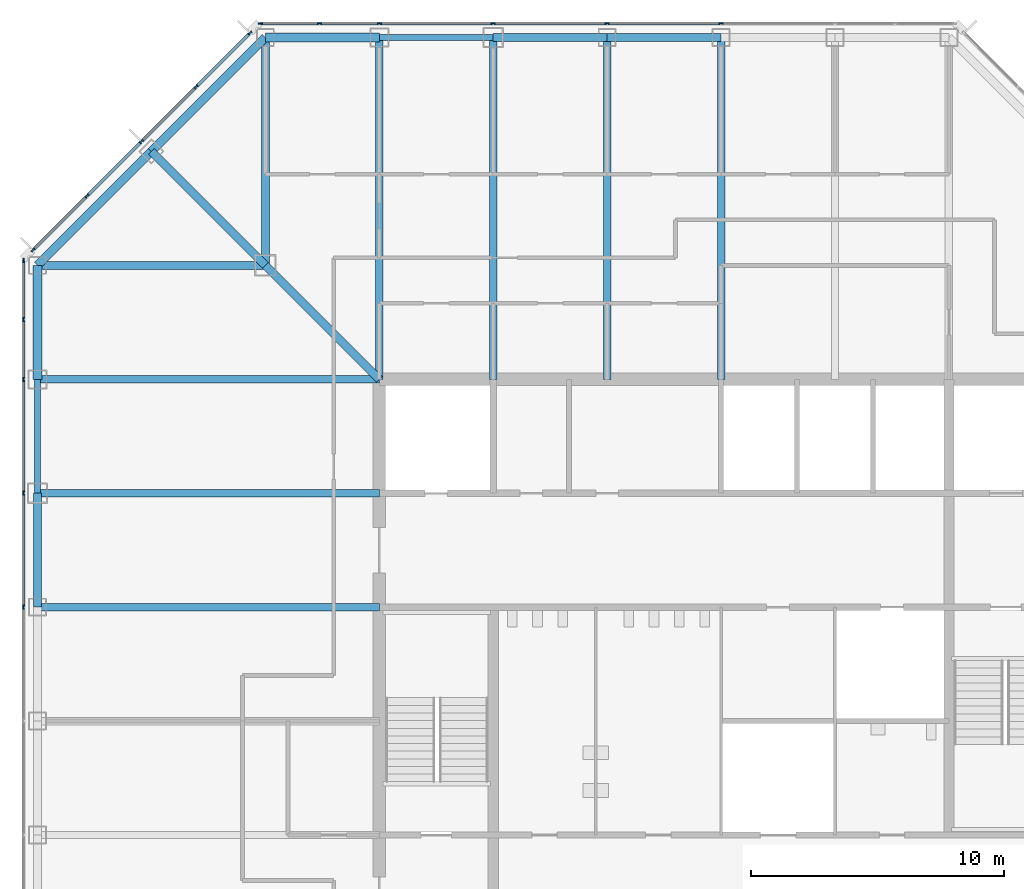
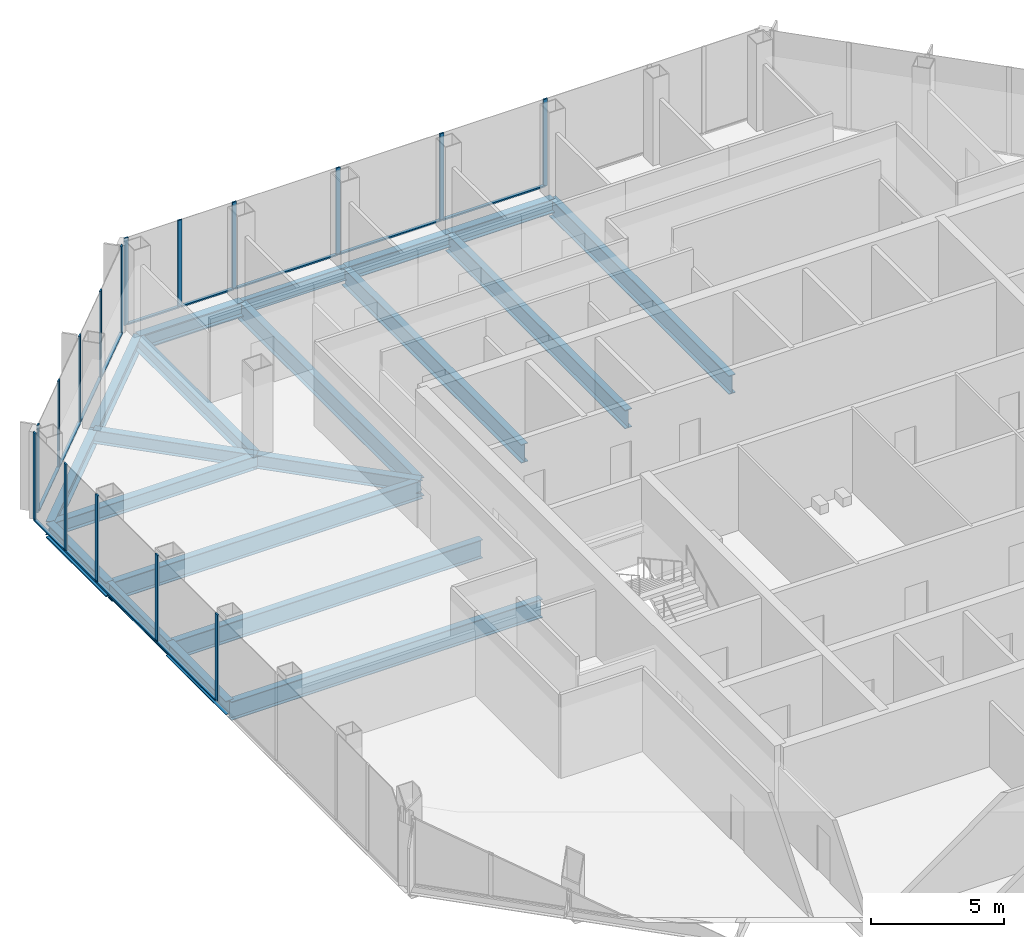
# One storey, part 5 of 13: 29 members, 20 beams, 3 elements without a shape of their own.
"""IFC4 building model written with IfcOpenShell, lengths in metres."""

from ifc_helpers import new_model, si_unit, direction, frame, origin, origin_2d, place, context, subcontext, project, spatial, rectangle, i_section, extrude, material, material_profile, profile_set, type_object, element, aggregate, save


model = new_model("IFC4")

# Units and contexts
model_context = context("Model", 3, precision=1e-05, world=origin(), true_north=direction((0.0, 1.0)))
body_context = subcontext(model_context, "Body", "Model", "MODEL_VIEW")
ifc_project = project(units=[si_unit("LENGTHUNIT", "METRE"), si_unit("AREAUNIT", "SQUARE_METRE"), si_unit("VOLUMEUNIT", "CUBIC_METRE"), si_unit("PLANEANGLEUNIT", "RADIAN"), si_unit("MASSUNIT", "GRAM", prefix="KILO")], contexts=[model_context])

# Site, building, storey
site_placement = place(None, origin())
site = spatial("IfcSite", under=ifc_project, at=site_placement, CompositionType="ELEMENT")
building_placement = place(site_placement, origin())
building = spatial("IfcBuilding", under=site, at=building_placement, Name="Corais Broadcast Tower", CompositionType="ELEMENT")
storey_placement = place(building_placement, frame((0.0, 0.0, 167.60009765625)))
storey = spatial("IfcBuildingStorey", under=building, at=storey_placement, Name="L38", CompositionType="ELEMENT", Elevation=167.60009765625)

# Beams
ifc_material_1 = material(Name="Steel ASTM A572 Grade 50", Category="steel")
ifc_material_profile_1 = material_profile(ifc_material_1, i_section(OverallWidth=0.323974609375, OverallDepth=0.611083984375, WebThickness=0.0126953125, FlangeThickness=0.01904296875, at=origin_2d()), Name="W610x155")
ifc_profile_set_1 = profile_set([ifc_material_profile_1], Name="Steel ASTM A572 Grade 50")
beam_type_1 = type_object("IfcBeamType", Name="Chamfer tie W610x155", PredefinedType="BEAM", material=ifc_profile_set_1)
beam_1_placement = place(storey_placement, frame((4.5, 49.5, -0.465576171875), z_axis=(0.707106781187, -0.707106781187, 0.0), x_axis=(0.707106781187, 0.707106781187, 0.0)))
element("IfcBeam", 1, at=beam_1_placement, inside=storey, type_object=beam_type_1, Name="B5 M/4 to L/5", PredefinedType="BEAM", context=body_context, shape_type="SweptSolid", body=[
    extrude(i_section(OverallWidth=0.323974609375, OverallDepth=0.611083984375, WebThickness=0.0126953125, FlangeThickness=0.01904296875, at=origin_2d()), origin(), (0.0, 0.0, 1.0), 6.364013671875),
])
ifc_material_2 = material(Name="Steel ASTM A572 Grade 50", Category="steel")
ifc_material_profile_2 = material_profile(ifc_material_2, i_section(OverallWidth=0.323974609375, OverallDepth=0.611083984375, WebThickness=0.0126953125, FlangeThickness=0.01904296875, at=origin_2d()), Name="W610x155")
ifc_profile_set_2 = profile_set([ifc_material_profile_2], Name="Steel ASTM A572 Grade 50")
beam_type_2 = type_object("IfcBeamType", Name="Corner diagonal W610x155", PredefinedType="BEAM", material=ifc_profile_set_2)
beam_2_placement = place(storey_placement, frame((9.0, 45.0, -0.465576171875), z_axis=(0.707106781187, -0.707106781187, 0.0), x_axis=(0.707106781187, 0.707106781187, 0.0)))
element("IfcBeam", 2, at=beam_2_placement, inside=storey, type_object=beam_type_2, Name="B6 L/5 to K/6", PredefinedType="BEAM", context=body_context, shape_type="SweptSolid", body=[
    extrude(i_section(OverallWidth=0.323974609375, OverallDepth=0.611083984375, WebThickness=0.0126953125, FlangeThickness=0.01904296875, at=origin_2d()), origin(), (0.0, 0.0, 1.0), 6.364013671875),
])
ifc_material_3 = material(Name="Steel ASTM A572 Grade 50", Category="steel")
ifc_material_profile_3 = material_profile(ifc_material_3, i_section(OverallWidth=0.323974609375, OverallDepth=0.611083984375, WebThickness=0.0126953125, FlangeThickness=0.01904296875, at=origin_2d()), Name="W610x155")
ifc_profile_set_3 = profile_set([ifc_material_profile_3], Name="Steel ASTM A572 Grade 50")
beam_type_3 = type_object("IfcBeamType", Name="Corner girder W610x155", PredefinedType="BEAM", material=ifc_profile_set_3)
for number, where, z_axis, x_axis, name in (
    (3, (0.0, 45.0, -0.465576171875), (1.0, 0.0, 0.0), (0.0, 1.0, 0.0), "B4 L/3 to L/5"),
    (4, (9.0, 54.0, -0.465576171875), (0.0, -1.0, 0.0), (1.0, 0.0, 0.0), "B4 N/5 to L/5"),
):
    element("IfcBeam", number, at=place(storey_placement, frame(where, z_axis=z_axis, x_axis=x_axis)), inside=storey, type_object=beam_type_3, Name=name, PredefinedType="BEAM", context=body_context, shape_type="SweptSolid", body=[
        extrude(i_section(OverallWidth=0.323974609375, OverallDepth=0.611083984375, WebThickness=0.0126953125, FlangeThickness=0.01904296875, at=origin_2d()), origin(), (0.0, 0.0, 1.0), 9.0),
    ])
ifc_material_4 = material(Name="Steel ASTM A572 Grade 50", Category="steel")
ifc_material_profile_4 = material_profile(ifc_material_4, i_section(OverallWidth=0.337890625, OverallDepth=0.677978515625, WebThickness=0.029541015625, FlangeThickness=0.052978515625, at=origin_2d()), Name="W610x415")
ifc_profile_set_4 = profile_set([ifc_material_profile_4], Name="Steel ASTM A572 Grade 50")
beam_type_4 = type_object("IfcBeamType", Name="Corner spandrel W610x415", PredefinedType="BEAM", material=ifc_profile_set_4)
for number, where, z_axis, x_axis, name in (
    (5, (0.0, 45.0, -0.4990234375), (0.0, -1.0, 0.0), (1.0, 0.0, 0.0), "SB10 L/3 to K/3"),
    (6, (13.5, 54.0, -0.4990234375), (-1.0, 0.0, 0.0), (0.0, -1.0, 0.0), "SB10 N/6 to N/5"),
):
    element("IfcBeam", number, at=place(storey_placement, frame(where, z_axis=z_axis, x_axis=x_axis)), inside=storey, type_object=beam_type_4, Name=name, PredefinedType="BEAM", context=body_context, shape_type="SweptSolid", body=[
        extrude(i_section(OverallWidth=0.337890625, OverallDepth=0.677978515625, WebThickness=0.029541015625, FlangeThickness=0.052978515625, at=origin_2d()), origin(), (0.0, 0.0, 1.0), 4.5),
    ])
ifc_material_5 = material(Name="Steel ASTM A572 Grade 50", Category="steel")
ifc_material_profile_5 = material_profile(ifc_material_5, i_section(OverallWidth=0.2939453125, OverallDepth=0.85107421875, WebThickness=0.01611328125, FlangeThickness=0.02685546875, at=origin_2d()), Name="W840x226")
ifc_profile_set_5 = profile_set([ifc_material_profile_5], Name="Steel ASTM A572 Grade 50")
beam_type_5 = type_object("IfcBeamType", Name="Floor beam W840x226", PredefinedType="BEAM", material=ifc_profile_set_5)
for number, where, z_axis, x_axis, name in (
    (7, (0.0, 31.5, -0.585693359375), (1.0, 0.0, 0.0), (0.0, 1.0, 0.0), "B1 H/3 to H/6"),
    (8, (0.0, 36.0, -0.585693359375), (1.0, 0.0, 0.0), (0.0, 1.0, 0.0), "B1 J/3 to J/6"),
    (9, (0.0, 40.5, -0.585693359375), (1.0, 0.0, 0.0), (0.0, 1.0, 0.0), "B1 K/3 to K/6"),
    (10, (13.5, 54.0, -0.585693359375), (0.0, -1.0, 0.0), (1.0, 0.0, 0.0), "B1 N/6 to K/6"),
    (11, (18.0, 54.0, -0.585693359375), (0.0, -1.0, 0.0), (1.0, 0.0, 0.0), "B1 N/7 to K/7"),
    (12, (22.5, 54.0, -0.585693359375), (0.0, -1.0, 0.0), (1.0, 0.0, 0.0), "B1 N/8 to K/8"),
    (13, (27.0, 54.0, -0.585693359375), (0.0, -1.0, 0.0), (1.0, 0.0, 0.0), "B1 N/9 to K/9"),
):
    element("IfcBeam", number, at=place(storey_placement, frame(where, z_axis=z_axis, x_axis=x_axis)), inside=storey, type_object=beam_type_5, Name=name, PredefinedType="BEAM", context=body_context, shape_type="SweptSolid", body=[
        extrude(i_section(OverallWidth=0.2939453125, OverallDepth=0.85107421875, WebThickness=0.01611328125, FlangeThickness=0.02685546875, at=origin_2d()), origin(), (0.0, 0.0, 1.0), 13.5),
    ])

# Curtain wall, members
ifc_material_6 = material(Name="Aluminium and glass", Category="aluminium")
curtain_wall_type = type_object("IfcCurtainWallType", Name="Unitised fritted curtain wall CW2", PredefinedType="NOTDEFINED", material=ifc_material_6)
curtain_wall_1_placement = place(storey_placement, origin())
curtain_wall_1 = element("IfcCurtainWall", 14, at=curtain_wall_1_placement, inside=storey, type_object=curtain_wall_type, Name="CW2 curtain wall L38 2", PredefinedType="NOTDEFINED")
ifc_material_7 = material(Name="Aluminium 6063-T6", Category="aluminium")
ifc_material_profile_6 = material_profile(ifc_material_7, rectangle(XDim=0.06494140625, YDim=0.179931640625, at=origin_2d()), Name="Mullion CW2 65x180")
ifc_profile_set_6 = profile_set([ifc_material_profile_6], Name="Aluminium 6063-T6")
member_type_1 = type_object("IfcMemberType", Name="Mullion CW2 65x180", PredefinedType="MULLION", material=ifc_profile_set_6)
member_1_placement = place(storey_placement, frame((-0.550048828125, 31.5, 0.0), z_axis=(0.0, 0.0, 1.0), x_axis=(-1.0, 0.0, 0.0)))
member_1 = element("IfcMember", 15, at=member_1_placement, type_object=member_type_1, Name="CW2 mullion 5", PredefinedType="MULLION", context=body_context, shape_type="SweptSolid", body=[
    extrude(rectangle(XDim=0.06494140625, YDim=0.179931640625, at=origin_2d()), origin(), (0.0, 0.0, 1.0), 4.0),
])
member_2_placement = place(storey_placement, frame((-0.550048828125, 36.0, 0.0), z_axis=(0.0, 0.0, 1.0), x_axis=(-1.0, 0.0, 0.0)))
member_2 = element("IfcMember", 16, at=member_2_placement, type_object=member_type_1, Name="CW2 mullion 6", PredefinedType="MULLION", context=body_context, shape_type="SweptSolid", body=[
    extrude(rectangle(XDim=0.06494140625, YDim=0.179931640625, at=origin_2d()), origin(), (0.0, 0.0, 1.0), 4.0),
])
member_3_placement = place(storey_placement, frame((-0.550048828125, 40.5, 0.0), z_axis=(0.0, 0.0, 1.0), x_axis=(-1.0, 0.0, 0.0)))
member_3 = element("IfcMember", 17, at=member_3_placement, type_object=member_type_1, Name="CW2 mullion 7", PredefinedType="MULLION", context=body_context, shape_type="SweptSolid", body=[
    extrude(rectangle(XDim=0.06494140625, YDim=0.179931640625, at=origin_2d()), origin(), (0.0, 0.0, 1.0), 4.0),
])
member_4_placement = place(storey_placement, frame((-0.550048828125, 42.864013671875, 0.0), z_axis=(0.0, 0.0, 1.0), x_axis=(-1.0, 0.0, 0.0)))
member_4 = element("IfcMember", 18, at=member_4_placement, type_object=member_type_1, Name="CW2 mullion 8", PredefinedType="MULLION", context=body_context, shape_type="SweptSolid", body=[
    extrude(rectangle(XDim=0.06494140625, YDim=0.179931640625, at=origin_2d()), origin(), (0.0, 0.0, 1.0), 4.0),
])
member_5_placement = place(storey_placement, frame((-0.550048828125, 45.1953125, 0.0), z_axis=(0.0, 0.0, 1.0), x_axis=(-1.0, 0.0, 0.0)))
member_5 = element("IfcMember", 19, at=member_5_placement, type_object=member_type_1, Name="CW2 mullion 9", PredefinedType="MULLION", context=body_context, shape_type="SweptSolid", body=[
    extrude(rectangle(XDim=0.06494140625, YDim=0.179931640625, at=origin_2d()), origin(), (0.0, 0.0, 1.0), 4.0),
])

curtain_wall_2_placement = place(storey_placement, origin())
curtain_wall_2 = element("IfcCurtainWall", 20, at=curtain_wall_2_placement, inside=storey, type_object=curtain_wall_type, Name="CW2 curtain wall L38 3", PredefinedType="NOTDEFINED")
member_6_placement = place(storey_placement, frame((-0.17333984375, 45.6044921875, 0.0), z_axis=(0.0, 0.0, 1.0), x_axis=(-0.707106781187, 0.707106781187, 0.0)))
member_6 = element("IfcMember", 21, at=member_6_placement, type_object=member_type_1, Name="CW2 mullion 1", PredefinedType="MULLION", context=body_context, shape_type="SweptSolid", body=[
    extrude(rectangle(XDim=0.06494140625, YDim=0.179931640625, at=origin_2d()), origin(), (0.0, 0.0, 1.0), 4.0),
])
member_7_placement = place(storey_placement, frame((1.957275390625, 47.735107421875, 0.0), z_axis=(0.0, 0.0, 1.0), x_axis=(-0.707106781187, 0.707106781187, 0.0)))
member_7 = element("IfcMember", 22, at=member_7_placement, type_object=member_type_1, Name="CW2 mullion 2", PredefinedType="MULLION", context=body_context, shape_type="SweptSolid", body=[
    extrude(rectangle(XDim=0.06494140625, YDim=0.179931640625, at=origin_2d()), origin(), (0.0, 0.0, 1.0), 4.0),
])
member_8_placement = place(storey_placement, frame((4.111083984375, 49.888916015625, 0.0), z_axis=(0.0, 0.0, 1.0), x_axis=(-0.707106781187, 0.707106781187, 0.0)))
member_8 = element("IfcMember", 23, at=member_8_placement, type_object=member_type_1, Name="CW2 mullion 3", PredefinedType="MULLION", context=body_context, shape_type="SweptSolid", body=[
    extrude(rectangle(XDim=0.06494140625, YDim=0.179931640625, at=origin_2d()), origin(), (0.0, 0.0, 1.0), 4.0),
])
member_9_placement = place(storey_placement, frame((6.264892578125, 52.042724609375, 0.0), z_axis=(0.0, 0.0, 1.0), x_axis=(-0.707106781187, 0.707106781187, 0.0)))
member_9 = element("IfcMember", 24, at=member_9_placement, type_object=member_type_1, Name="CW2 mullion 4", PredefinedType="MULLION", context=body_context, shape_type="SweptSolid", body=[
    extrude(rectangle(XDim=0.06494140625, YDim=0.179931640625, at=origin_2d()), origin(), (0.0, 0.0, 1.0), 4.0),
])
member_10_placement = place(storey_placement, frame((8.3955078125, 54.17333984375, 0.0), z_axis=(0.0, 0.0, 1.0), x_axis=(-0.707106781187, 0.707106781187, 0.0)))
member_10 = element("IfcMember", 25, at=member_10_placement, type_object=member_type_1, Name="CW2 mullion 5", PredefinedType="MULLION", context=body_context, shape_type="SweptSolid", body=[
    extrude(rectangle(XDim=0.06494140625, YDim=0.179931640625, at=origin_2d()), origin(), (0.0, 0.0, 1.0), 4.0),
])

curtain_wall_3_placement = place(storey_placement, origin())
curtain_wall_3 = element("IfcCurtainWall", 26, at=curtain_wall_3_placement, inside=storey, type_object=curtain_wall_type, Name="CW2 curtain wall L38 4", PredefinedType="NOTDEFINED")
member_11_placement = place(storey_placement, frame((8.8046875, 54.550048828125, 0.0), z_axis=(0.0, 0.0, 1.0), x_axis=(0.0, 1.0, 0.0)))
member_11 = element("IfcMember", 27, at=member_11_placement, type_object=member_type_1, Name="CW2 mullion 1", PredefinedType="MULLION", context=body_context, shape_type="SweptSolid", body=[
    extrude(rectangle(XDim=0.06494140625, YDim=0.179931640625, at=origin_2d()), origin(), (0.0, 0.0, 1.0), 4.0),
])
member_12_placement = place(storey_placement, frame((11.135986328125, 54.550048828125, 0.0), z_axis=(0.0, 0.0, 1.0), x_axis=(0.0, 1.0, 0.0)))
member_12 = element("IfcMember", 28, at=member_12_placement, type_object=member_type_1, Name="CW2 mullion 2", PredefinedType="MULLION", context=body_context, shape_type="SweptSolid", body=[
    extrude(rectangle(XDim=0.06494140625, YDim=0.179931640625, at=origin_2d()), origin(), (0.0, 0.0, 1.0), 4.0),
])
member_13_placement = place(storey_placement, frame((13.5, 54.550048828125, 0.0), z_axis=(0.0, 0.0, 1.0), x_axis=(0.0, 1.0, 0.0)))
member_13 = element("IfcMember", 29, at=member_13_placement, type_object=member_type_1, Name="CW2 mullion 3", PredefinedType="MULLION", context=body_context, shape_type="SweptSolid", body=[
    extrude(rectangle(XDim=0.06494140625, YDim=0.179931640625, at=origin_2d()), origin(), (0.0, 0.0, 1.0), 4.0),
])
member_14_placement = place(storey_placement, frame((18.0, 54.550048828125, 0.0), z_axis=(0.0, 0.0, 1.0), x_axis=(0.0, 1.0, 0.0)))
member_14 = element("IfcMember", 30, at=member_14_placement, type_object=member_type_1, Name="CW2 mullion 4", PredefinedType="MULLION", context=body_context, shape_type="SweptSolid", body=[
    extrude(rectangle(XDim=0.06494140625, YDim=0.179931640625, at=origin_2d()), origin(), (0.0, 0.0, 1.0), 4.0),
])
member_15_placement = place(storey_placement, frame((22.5, 54.550048828125, 0.0), z_axis=(0.0, 0.0, 1.0), x_axis=(0.0, 1.0, 0.0)))
member_15 = element("IfcMember", 31, at=member_15_placement, type_object=member_type_1, Name="CW2 mullion 5", PredefinedType="MULLION", context=body_context, shape_type="SweptSolid", body=[
    extrude(rectangle(XDim=0.06494140625, YDim=0.179931640625, at=origin_2d()), origin(), (0.0, 0.0, 1.0), 4.0),
])
member_16_placement = place(storey_placement, frame((27.0, 54.550048828125, 0.0), z_axis=(0.0, 0.0, 1.0), x_axis=(0.0, 1.0, 0.0)))
member_16 = element("IfcMember", 32, at=member_16_placement, type_object=member_type_1, Name="CW2 mullion 6", PredefinedType="MULLION", context=body_context, shape_type="SweptSolid", body=[
    extrude(rectangle(XDim=0.06494140625, YDim=0.179931640625, at=origin_2d()), origin(), (0.0, 0.0, 1.0), 4.0),
])

# Beams
ifc_material_8 = material(Name="Steel ASTM A572 Grade 50", Category="steel")
ifc_material_profile_7 = material_profile(ifc_material_8, i_section(OverallWidth=0.22900390625, OverallDepth=0.612060546875, WebThickness=0.011962890625, FlangeThickness=0.01953125, at=origin_2d()), Name="W610x125")
ifc_profile_set_7 = profile_set([ifc_material_profile_7], Name="Steel ASTM A572 Grade 50")
beam_type_6 = type_object("IfcBeamType", Name="Pinned spandrel W610x125", PredefinedType="BEAM", material=ifc_profile_set_7)
for number, where, z_axis, x_axis, name in (
    (33, (0.0, 40.5, -0.466064453125), (0.0, -1.0, 0.0), (1.0, 0.0, 0.0), "SB7 K/3 to J/3"),
    (34, (18.0, 54.0, -0.466064453125), (-1.0, 0.0, 0.0), (0.0, -1.0, 0.0), "SB7 N/7 to N/6"),
):
    element("IfcBeam", number, at=place(storey_placement, frame(where, z_axis=z_axis, x_axis=x_axis)), inside=storey, type_object=beam_type_6, Name=name, PredefinedType="BEAM", context=body_context, shape_type="SweptSolid", body=[
        extrude(i_section(OverallWidth=0.22900390625, OverallDepth=0.612060546875, WebThickness=0.011962890625, FlangeThickness=0.01953125, at=origin_2d()), origin(), (0.0, 0.0, 1.0), 4.5),
    ])
ifc_material_9 = material(Name="Steel ASTM A572 Grade 50", Category="steel")
ifc_material_profile_8 = material_profile(ifc_material_9, i_section(OverallWidth=0.3291015625, OverallDepth=0.635009765625, WebThickness=0.017822265625, FlangeThickness=0.031005859375, at=origin_2d()), Name="W610x241")
ifc_profile_set_8 = profile_set([ifc_material_profile_8], Name="Steel ASTM A572 Grade 50")
beam_type_7 = type_object("IfcBeamType", Name="Spandrel W610x241", PredefinedType="BEAM", material=ifc_profile_set_8)
for number, where, z_axis, x_axis, name in (
    (35, (0.0, 36.0, -0.4775390625), (0.0, -1.0, 0.0), (1.0, 0.0, 0.0), "SB1 J/3 to H/3"),
    (36, (22.5, 54.0, -0.4775390625), (-1.0, 0.0, 0.0), (0.0, -1.0, 0.0), "SB1 N/8 to N/7"),
    (37, (27.0, 54.0, -0.4775390625), (-1.0, 0.0, 0.0), (0.0, -1.0, 0.0), "SB1 N/9 to N/8"),
):
    element("IfcBeam", number, at=place(storey_placement, frame(where, z_axis=z_axis, x_axis=x_axis)), inside=storey, type_object=beam_type_7, Name=name, PredefinedType="BEAM", context=body_context, shape_type="SweptSolid", body=[
        extrude(i_section(OverallWidth=0.3291015625, OverallDepth=0.635009765625, WebThickness=0.017822265625, FlangeThickness=0.031005859375, at=origin_2d()), origin(), (0.0, 0.0, 1.0), 4.5),
    ])
for number, where, z_axis, x_axis, name in (
    (38, (4.5, 49.5, -0.4775390625), (-0.707106781187, -0.707106781187, 0.0), (0.707106781187, -0.707106781187, 0.0), "SB1 M/4 to L/3"),
    (39, (9.0, 54.0, -0.4775390625), (-0.707106781187, -0.707106781187, 0.0), (0.707106781187, -0.707106781187, 0.0), "SB1 N/5 to M/4"),
):
    element("IfcBeam", number, at=place(storey_placement, frame(where, z_axis=z_axis, x_axis=x_axis)), inside=storey, type_object=beam_type_7, Name=name, PredefinedType="BEAM", context=body_context, shape_type="SweptSolid", body=[
        extrude(i_section(OverallWidth=0.3291015625, OverallDepth=0.635009765625, WebThickness=0.017822265625, FlangeThickness=0.031005859375, at=origin_2d()), origin(), (0.0, 0.0, 1.0), 6.364013671875),
    ])

# Member
ifc_material_10 = material(Name="Aluminium 6063-T6", Category="aluminium")
ifc_material_profile_9 = material_profile(ifc_material_10, rectangle(XDim=0.1298828125, YDim=0.06494140625, at=origin_2d()), Name="Transom CW2 65x130")
ifc_profile_set_9 = profile_set([ifc_material_profile_9], Name="Aluminium 6063-T6")
member_type_2 = type_object("IfcMemberType", Name="Transom CW2 65x130", PredefinedType="USERDEFINED", material=ifc_profile_set_9)
member_17_placement = place(storey_placement, frame((-0.550048828125, 31.532470703125, 0.032470703125), z_axis=(0.0, 1.0, 0.0), x_axis=(-1.0, 0.0, 0.0)))
member_17 = element("IfcMember", 40, at=member_17_placement, type_object=member_type_2, Name="CW2 transom 5.1", ObjectType="TRANSOM", PredefinedType="USERDEFINED", context=body_context, shape_type="SweptSolid", body=[
    extrude(rectangle(XDim=0.1298828125, YDim=0.06494140625, at=origin_2d()), origin(), (0.0, 0.0, 1.0), 4.43505859375),
])

member_18_placement = place(storey_placement, frame((-0.550048828125, 36.032470703125, 0.032470703125), z_axis=(0.0, 1.0, 0.0), x_axis=(-1.0, 0.0, 0.0)))
member_18 = element("IfcMember", 41, at=member_18_placement, type_object=member_type_2, Name="CW2 transom 6.1", ObjectType="TRANSOM", PredefinedType="USERDEFINED", context=body_context, shape_type="SweptSolid", body=[
    extrude(rectangle(XDim=0.1298828125, YDim=0.06494140625, at=origin_2d()), origin(), (0.0, 0.0, 1.0), 4.43505859375),
])

member_19_placement = place(storey_placement, frame((-0.550048828125, 40.532470703125, 0.032470703125), z_axis=(0.0, 1.0, 0.0), x_axis=(-1.0, 0.0, 0.0)))
member_19 = element("IfcMember", 42, at=member_19_placement, type_object=member_type_2, Name="CW2 transom 7.1", ObjectType="TRANSOM", PredefinedType="USERDEFINED", context=body_context, shape_type="SweptSolid", body=[
    extrude(rectangle(XDim=0.1298828125, YDim=0.06494140625, at=origin_2d()), origin(), (0.0, 0.0, 1.0), 2.298828125),
])

member_20_placement = place(storey_placement, frame((-0.550048828125, 42.896484375, 0.032470703125), z_axis=(0.0, 1.0, 0.0), x_axis=(-1.0, 0.0, 0.0)))
member_20 = element("IfcMember", 43, at=member_20_placement, type_object=member_type_2, Name="CW2 transom 8.1", ObjectType="TRANSOM", PredefinedType="USERDEFINED", context=body_context, shape_type="SweptSolid", body=[
    extrude(rectangle(XDim=0.1298828125, YDim=0.06494140625, at=origin_2d()), origin(), (0.0, 0.0, 1.0), 2.266357421875),
])

aggregate(curtain_wall_1, [member_1, member_2, member_3, member_4, member_5, member_17, member_18, member_19, member_20])

member_21_placement = place(storey_placement, frame((-0.150390625, 45.62744140625, 0.032470703125), z_axis=(0.707106781187, 0.707106781187, 0.0), x_axis=(-0.707106781187, 0.707106781187, 0.0)))
member_21 = element("IfcMember", 44, at=member_21_placement, type_object=member_type_2, Name="CW2 transom 1.1", ObjectType="TRANSOM", PredefinedType="USERDEFINED", context=body_context, shape_type="SweptSolid", body=[
    extrude(rectangle(XDim=0.1298828125, YDim=0.06494140625, at=origin_2d()), origin(), (0.0, 0.0, 1.0), 2.9482421875),
])

member_22_placement = place(storey_placement, frame((1.980224609375, 47.758056640625, 0.032470703125), z_axis=(0.707106781187, 0.707106781187, 0.0), x_axis=(-0.707106781187, 0.707106781187, 0.0)))
member_22 = element("IfcMember", 45, at=member_22_placement, type_object=member_type_2, Name="CW2 transom 2.1", ObjectType="TRANSOM", PredefinedType="USERDEFINED", context=body_context, shape_type="SweptSolid", body=[
    extrude(rectangle(XDim=0.1298828125, YDim=0.06494140625, at=origin_2d()), origin(), (0.0, 0.0, 1.0), 2.98095703125),
])

member_23_placement = place(storey_placement, frame((4.134033203125, 49.911865234375, 0.032470703125), z_axis=(0.707106781187, 0.707106781187, 0.0), x_axis=(-0.707106781187, 0.707106781187, 0.0)))
member_23 = element("IfcMember", 46, at=member_23_placement, type_object=member_type_2, Name="CW2 transom 3.1", ObjectType="TRANSOM", PredefinedType="USERDEFINED", context=body_context, shape_type="SweptSolid", body=[
    extrude(rectangle(XDim=0.1298828125, YDim=0.06494140625, at=origin_2d()), origin(), (0.0, 0.0, 1.0), 2.98095703125),
])

member_24_placement = place(storey_placement, frame((6.287841796875, 52.065673828125, 0.032470703125), z_axis=(0.707106781187, 0.707106781187, 0.0), x_axis=(-0.707106781187, 0.707106781187, 0.0)))
member_24 = element("IfcMember", 47, at=member_24_placement, type_object=member_type_2, Name="CW2 transom 4.1", ObjectType="TRANSOM", PredefinedType="USERDEFINED", context=body_context, shape_type="SweptSolid", body=[
    extrude(rectangle(XDim=0.1298828125, YDim=0.06494140625, at=origin_2d()), origin(), (0.0, 0.0, 1.0), 2.9482421875),
])

aggregate(curtain_wall_2, [member_6, member_7, member_8, member_9, member_10, member_21, member_22, member_23, member_24])

member_25_placement = place(storey_placement, frame((8.837158203125, 54.550048828125, 0.032470703125), z_axis=(1.0, 0.0, 0.0), x_axis=(0.0, 1.0, 0.0)))
member_25 = element("IfcMember", 48, at=member_25_placement, type_object=member_type_2, Name="CW2 transom 1.1", ObjectType="TRANSOM", PredefinedType="USERDEFINED", context=body_context, shape_type="SweptSolid", body=[
    extrude(rectangle(XDim=0.1298828125, YDim=0.06494140625, at=origin_2d()), origin(), (0.0, 0.0, 1.0), 2.266357421875),
])

member_26_placement = place(storey_placement, frame((11.168701171875, 54.550048828125, 0.032470703125), z_axis=(1.0, 0.0, 0.0), x_axis=(0.0, 1.0, 0.0)))
member_26 = element("IfcMember", 49, at=member_26_placement, type_object=member_type_2, Name="CW2 transom 2.1", ObjectType="TRANSOM", PredefinedType="USERDEFINED", context=body_context, shape_type="SweptSolid", body=[
    extrude(rectangle(XDim=0.1298828125, YDim=0.06494140625, at=origin_2d()), origin(), (0.0, 0.0, 1.0), 2.298828125),
])

member_27_placement = place(storey_placement, frame((13.532470703125, 54.550048828125, 0.032470703125), z_axis=(1.0, 0.0, 0.0), x_axis=(0.0, 1.0, 0.0)))
member_27 = element("IfcMember", 50, at=member_27_placement, type_object=member_type_2, Name="CW2 transom 3.1", ObjectType="TRANSOM", PredefinedType="USERDEFINED", context=body_context, shape_type="SweptSolid", body=[
    extrude(rectangle(XDim=0.1298828125, YDim=0.06494140625, at=origin_2d()), origin(), (0.0, 0.0, 1.0), 4.43505859375),
])

member_28_placement = place(storey_placement, frame((18.032470703125, 54.550048828125, 0.032470703125), z_axis=(1.0, 0.0, 0.0), x_axis=(0.0, 1.0, 0.0)))
member_28 = element("IfcMember", 51, at=member_28_placement, type_object=member_type_2, Name="CW2 transom 4.1", ObjectType="TRANSOM", PredefinedType="USERDEFINED", context=body_context, shape_type="SweptSolid", body=[
    extrude(rectangle(XDim=0.1298828125, YDim=0.06494140625, at=origin_2d()), origin(), (0.0, 0.0, 1.0), 4.43505859375),
])

member_29_placement = place(storey_placement, frame((22.532470703125, 54.550048828125, 0.032470703125), z_axis=(1.0, 0.0, 0.0), x_axis=(0.0, 1.0, 0.0)))
member_29 = element("IfcMember", 52, at=member_29_placement, type_object=member_type_2, Name="CW2 transom 5.1", ObjectType="TRANSOM", PredefinedType="USERDEFINED", context=body_context, shape_type="SweptSolid", body=[
    extrude(rectangle(XDim=0.1298828125, YDim=0.06494140625, at=origin_2d()), origin(), (0.0, 0.0, 1.0), 4.43505859375),
])

aggregate(curtain_wall_3, [member_11, member_12, member_13, member_14, member_15, member_16, member_25, member_26, member_27, member_28, member_29])

save(model, "model.ifc")
